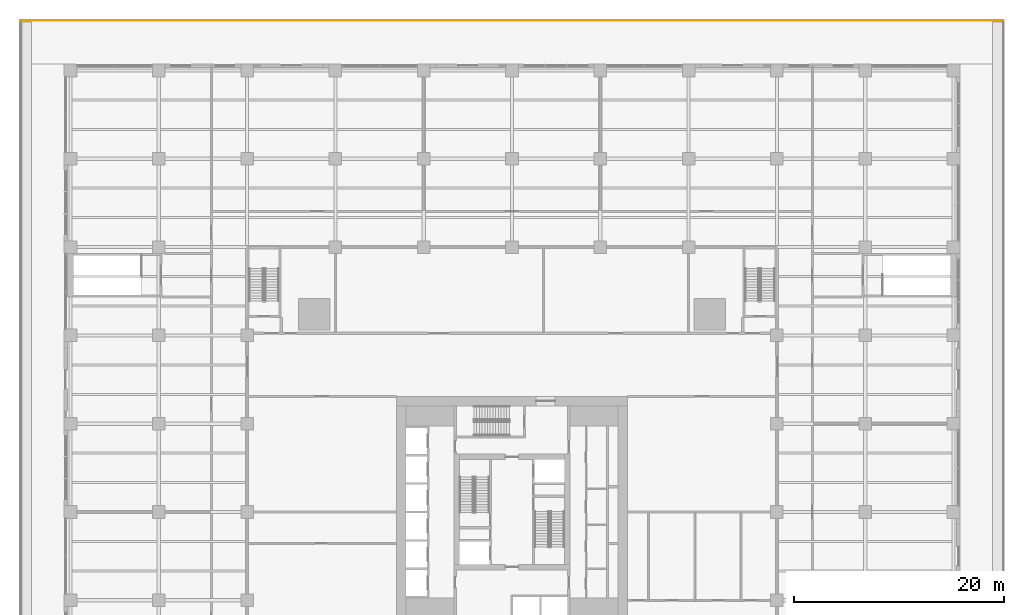
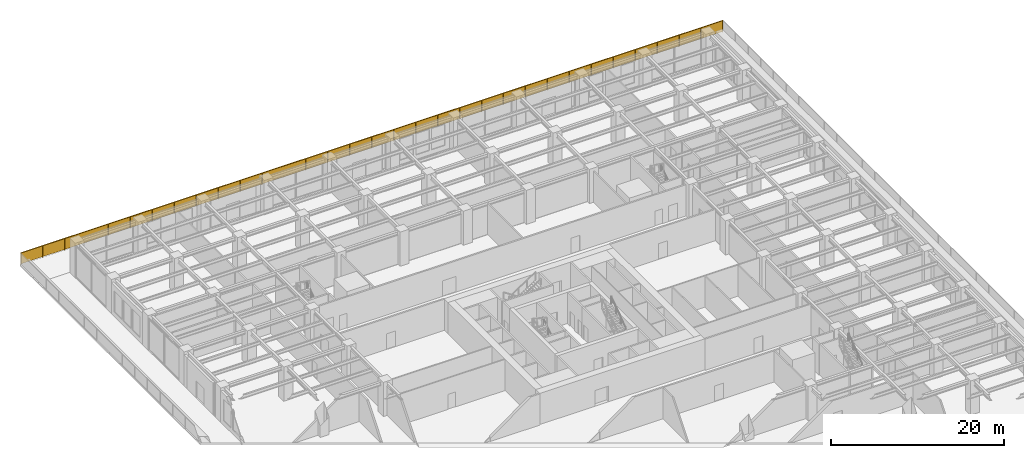
# One storey, part 52 of 53: 1 railing.
"""IFC4 building model written with IfcOpenShell, lengths in metres."""

from ifc_helpers import new_model, si_unit, direction, frame, origin, origin_2d, place, context, subcontext, project, spatial, rectangle, extrude, material, type_object, element, save


model = new_model("IFC4")

# Units and contexts
model_context = context("Model", 3, precision=1e-05, world=origin(), true_north=direction((0.0, 1.0)))
body_context = subcontext(model_context, "Body", "Model", "MODEL_VIEW")
ifc_project = project(units=[si_unit("LENGTHUNIT", "METRE"), si_unit("AREAUNIT", "SQUARE_METRE"), si_unit("VOLUMEUNIT", "CUBIC_METRE"), si_unit("PLANEANGLEUNIT", "RADIAN"), si_unit("MASSUNIT", "GRAM", prefix="KILO")], contexts=[model_context])

# Site, building, storey
site_placement = place(None, origin())
site = spatial("IfcSite", under=ifc_project, at=site_placement, CompositionType="ELEMENT")
building_placement = place(site_placement, origin())
building = spatial("IfcBuilding", under=site, at=building_placement, Name="Khepri Terraces", CompositionType="ELEMENT")
storey_placement = place(building_placement, frame((0.0, 0.0, 7.199951171875)))
storey = spatial("IfcBuildingStorey", under=building, at=storey_placement, Name="L01", CompositionType="ELEMENT", Elevation=7.199951171875)

# Railing
ifc_material = material(Name="Stainless steel grade 316", Category="steel")
railing_type = type_object("IfcRailingType", Name="GRD-TERR-1700", PredefinedType="GUARDRAIL", material=ifc_material)
railing_placement = place(storey_placement, frame((-46.75, 46.75, 0.0)))
element("IfcRailing", 1, at=railing_placement, inside=storey, type_object=railing_type, Name="Terrace guard L01", PredefinedType="GUARDRAIL", context=body_context, shape_type="SweptSolid", body=[
    extrude(rectangle(XDim=0.050048828125, YDim=0.06005859375, at=origin_2d()), frame((0.0, 0.0, 1.669921875), z_axis=(1.0, 0.0, 0.0), x_axis=(0.0, 1.0, 0.0)), (0.0, 0.0, 1.0), 93.5),
    extrude(rectangle(XDim=2.871826171875, YDim=0.011962890625, at=origin_2d()), frame((1.4609375, 0.0, 0.10009765625), z_axis=(0.0, 0.0, 1.0), x_axis=(1.0, 0.0, 0.0)), (0.0, 0.0, 1.0), 1.539794921875),
    extrude(rectangle(XDim=2.871826171875, YDim=0.011962890625, at=origin_2d()), frame((4.3828125, 0.0, 0.10009765625), z_axis=(0.0, 0.0, 1.0), x_axis=(1.0, 0.0, 0.0)), (0.0, 0.0, 1.0), 1.539794921875),
    extrude(rectangle(XDim=2.871826171875, YDim=0.011962890625, at=origin_2d()), frame((7.3046875, 0.0, 0.10009765625), z_axis=(0.0, 0.0, 1.0), x_axis=(1.0, 0.0, 0.0)), (0.0, 0.0, 1.0), 1.539794921875),
    extrude(rectangle(XDim=2.871826171875, YDim=0.011962890625, at=origin_2d()), frame((10.2265625, 0.0, 0.10009765625), z_axis=(0.0, 0.0, 1.0), x_axis=(1.0, 0.0, 0.0)), (0.0, 0.0, 1.0), 1.539794921875),
    extrude(rectangle(XDim=2.871826171875, YDim=0.011962890625, at=origin_2d()), frame((13.1484375, 0.0, 0.10009765625), z_axis=(0.0, 0.0, 1.0), x_axis=(1.0, 0.0, 0.0)), (0.0, 0.0, 1.0), 1.539794921875),
    extrude(rectangle(XDim=2.871826171875, YDim=0.011962890625, at=origin_2d()), frame((16.0703125, 0.0, 0.10009765625), z_axis=(0.0, 0.0, 1.0), x_axis=(1.0, 0.0, 0.0)), (0.0, 0.0, 1.0), 1.539794921875),
    extrude(rectangle(XDim=2.871826171875, YDim=0.011962890625, at=origin_2d()), frame((18.9921875, 0.0, 0.10009765625), z_axis=(0.0, 0.0, 1.0), x_axis=(1.0, 0.0, 0.0)), (0.0, 0.0, 1.0), 1.539794921875),
    extrude(rectangle(XDim=2.871826171875, YDim=0.011962890625, at=origin_2d()), frame((21.9140625, 0.0, 0.10009765625), z_axis=(0.0, 0.0, 1.0), x_axis=(1.0, 0.0, 0.0)), (0.0, 0.0, 1.0), 1.539794921875),
    extrude(rectangle(XDim=2.871826171875, YDim=0.011962890625, at=origin_2d()), frame((24.8359375, 0.0, 0.10009765625), z_axis=(0.0, 0.0, 1.0), x_axis=(1.0, 0.0, 0.0)), (0.0, 0.0, 1.0), 1.539794921875),
    extrude(rectangle(XDim=2.871826171875, YDim=0.011962890625, at=origin_2d()), frame((27.7578125, 0.0, 0.10009765625), z_axis=(0.0, 0.0, 1.0), x_axis=(1.0, 0.0, 0.0)), (0.0, 0.0, 1.0), 1.539794921875),
    extrude(rectangle(XDim=2.871826171875, YDim=0.011962890625, at=origin_2d()), frame((30.6796875, 0.0, 0.10009765625), z_axis=(0.0, 0.0, 1.0), x_axis=(1.0, 0.0, 0.0)), (0.0, 0.0, 1.0), 1.539794921875),
    extrude(rectangle(XDim=2.871826171875, YDim=0.011962890625, at=origin_2d()), frame((33.6015625, 0.0, 0.10009765625), z_axis=(0.0, 0.0, 1.0), x_axis=(1.0, 0.0, 0.0)), (0.0, 0.0, 1.0), 1.539794921875),
    extrude(rectangle(XDim=2.871826171875, YDim=0.011962890625, at=origin_2d()), frame((36.5234375, 0.0, 0.10009765625), z_axis=(0.0, 0.0, 1.0), x_axis=(1.0, 0.0, 0.0)), (0.0, 0.0, 1.0), 1.539794921875),
    extrude(rectangle(XDim=2.871826171875, YDim=0.011962890625, at=origin_2d()), frame((39.4453125, 0.0, 0.10009765625), z_axis=(0.0, 0.0, 1.0), x_axis=(1.0, 0.0, 0.0)), (0.0, 0.0, 1.0), 1.539794921875),
    extrude(rectangle(XDim=2.871826171875, YDim=0.011962890625, at=origin_2d()), frame((42.3671875, 0.0, 0.10009765625), z_axis=(0.0, 0.0, 1.0), x_axis=(1.0, 0.0, 0.0)), (0.0, 0.0, 1.0), 1.539794921875),
    extrude(rectangle(XDim=2.871826171875, YDim=0.011962890625, at=origin_2d()), frame((45.2890625, 0.0, 0.10009765625), z_axis=(0.0, 0.0, 1.0), x_axis=(1.0, 0.0, 0.0)), (0.0, 0.0, 1.0), 1.539794921875),
    extrude(rectangle(XDim=2.871826171875, YDim=0.011962890625, at=origin_2d()), frame((48.2109375, 0.0, 0.10009765625), z_axis=(0.0, 0.0, 1.0), x_axis=(1.0, 0.0, 0.0)), (0.0, 0.0, 1.0), 1.539794921875),
    extrude(rectangle(XDim=2.871826171875, YDim=0.011962890625, at=origin_2d()), frame((51.1328125, 0.0, 0.10009765625), z_axis=(0.0, 0.0, 1.0), x_axis=(1.0, 0.0, 0.0)), (0.0, 0.0, 1.0), 1.539794921875),
    extrude(rectangle(XDim=2.871826171875, YDim=0.011962890625, at=origin_2d()), frame((54.0546875, 0.0, 0.10009765625), z_axis=(0.0, 0.0, 1.0), x_axis=(1.0, 0.0, 0.0)), (0.0, 0.0, 1.0), 1.539794921875),
    extrude(rectangle(XDim=2.871826171875, YDim=0.011962890625, at=origin_2d()), frame((56.9765625, 0.0, 0.10009765625), z_axis=(0.0, 0.0, 1.0), x_axis=(1.0, 0.0, 0.0)), (0.0, 0.0, 1.0), 1.539794921875),
    extrude(rectangle(XDim=2.871826171875, YDim=0.011962890625, at=origin_2d()), frame((59.8984375, 0.0, 0.10009765625), z_axis=(0.0, 0.0, 1.0), x_axis=(1.0, 0.0, 0.0)), (0.0, 0.0, 1.0), 1.539794921875),
    extrude(rectangle(XDim=2.871826171875, YDim=0.011962890625, at=origin_2d()), frame((62.8203125, 0.0, 0.10009765625), z_axis=(0.0, 0.0, 1.0), x_axis=(1.0, 0.0, 0.0)), (0.0, 0.0, 1.0), 1.539794921875),
    extrude(rectangle(XDim=2.871826171875, YDim=0.011962890625, at=origin_2d()), frame((65.7421875, 0.0, 0.10009765625), z_axis=(0.0, 0.0, 1.0), x_axis=(1.0, 0.0, 0.0)), (0.0, 0.0, 1.0), 1.539794921875),
    extrude(rectangle(XDim=2.871826171875, YDim=0.011962890625, at=origin_2d()), frame((68.6640625, 0.0, 0.10009765625), z_axis=(0.0, 0.0, 1.0), x_axis=(1.0, 0.0, 0.0)), (0.0, 0.0, 1.0), 1.539794921875),
    extrude(rectangle(XDim=2.871826171875, YDim=0.011962890625, at=origin_2d()), frame((71.5859375, 0.0, 0.10009765625), z_axis=(0.0, 0.0, 1.0), x_axis=(1.0, 0.0, 0.0)), (0.0, 0.0, 1.0), 1.539794921875),
    extrude(rectangle(XDim=2.871826171875, YDim=0.011962890625, at=origin_2d()), frame((74.5078125, 0.0, 0.10009765625), z_axis=(0.0, 0.0, 1.0), x_axis=(1.0, 0.0, 0.0)), (0.0, 0.0, 1.0), 1.539794921875),
    extrude(rectangle(XDim=2.871826171875, YDim=0.011962890625, at=origin_2d()), frame((77.4296875, 0.0, 0.10009765625), z_axis=(0.0, 0.0, 1.0), x_axis=(1.0, 0.0, 0.0)), (0.0, 0.0, 1.0), 1.539794921875),
    extrude(rectangle(XDim=2.871826171875, YDim=0.011962890625, at=origin_2d()), frame((80.3515625, 0.0, 0.10009765625), z_axis=(0.0, 0.0, 1.0), x_axis=(1.0, 0.0, 0.0)), (0.0, 0.0, 1.0), 1.539794921875),
    extrude(rectangle(XDim=2.871826171875, YDim=0.011962890625, at=origin_2d()), frame((83.2734375, 0.0, 0.10009765625), z_axis=(0.0, 0.0, 1.0), x_axis=(1.0, 0.0, 0.0)), (0.0, 0.0, 1.0), 1.539794921875),
    extrude(rectangle(XDim=2.871826171875, YDim=0.011962890625, at=origin_2d()), frame((86.1953125, 0.0, 0.10009765625), z_axis=(0.0, 0.0, 1.0), x_axis=(1.0, 0.0, 0.0)), (0.0, 0.0, 1.0), 1.539794921875),
    extrude(rectangle(XDim=2.871826171875, YDim=0.011962890625, at=origin_2d()), frame((89.1171875, 0.0, 0.10009765625), z_axis=(0.0, 0.0, 1.0), x_axis=(1.0, 0.0, 0.0)), (0.0, 0.0, 1.0), 1.539794921875),
    extrude(rectangle(XDim=2.871826171875, YDim=0.011962890625, at=origin_2d()), frame((92.0390625, 0.0, 0.10009765625), z_axis=(0.0, 0.0, 1.0), x_axis=(1.0, 0.0, 0.0)), (0.0, 0.0, 1.0), 1.539794921875),
    extrude(rectangle(XDim=0.050048828125, YDim=0.050048828125, at=origin_2d()), origin(), (0.0, 0.0, 1.0), 1.639892578125),
    extrude(rectangle(XDim=0.050048828125, YDim=0.050048828125, at=origin_2d()), frame((2.921875, 0.0, 0.0)), (0.0, 0.0, 1.0), 1.639892578125),
    extrude(rectangle(XDim=0.050048828125, YDim=0.050048828125, at=origin_2d()), frame((5.84375, 0.0, 0.0)), (0.0, 0.0, 1.0), 1.639892578125),
    extrude(rectangle(XDim=0.050048828125, YDim=0.050048828125, at=origin_2d()), frame((8.765625, 0.0, 0.0)), (0.0, 0.0, 1.0), 1.639892578125),
    extrude(rectangle(XDim=0.050048828125, YDim=0.050048828125, at=origin_2d()), frame((11.6875, 0.0, 0.0)), (0.0, 0.0, 1.0), 1.639892578125),
    extrude(rectangle(XDim=0.050048828125, YDim=0.050048828125, at=origin_2d()), frame((14.609375, 0.0, 0.0)), (0.0, 0.0, 1.0), 1.639892578125),
    extrude(rectangle(XDim=0.050048828125, YDim=0.050048828125, at=origin_2d()), frame((17.53125, 0.0, 0.0)), (0.0, 0.0, 1.0), 1.639892578125),
    extrude(rectangle(XDim=0.050048828125, YDim=0.050048828125, at=origin_2d()), frame((20.453125, 0.0, 0.0)), (0.0, 0.0, 1.0), 1.639892578125),
    extrude(rectangle(XDim=0.050048828125, YDim=0.050048828125, at=origin_2d()), frame((23.375, 0.0, 0.0)), (0.0, 0.0, 1.0), 1.639892578125),
    extrude(rectangle(XDim=0.050048828125, YDim=0.050048828125, at=origin_2d()), frame((26.296875, 0.0, 0.0)), (0.0, 0.0, 1.0), 1.639892578125),
    extrude(rectangle(XDim=0.050048828125, YDim=0.050048828125, at=origin_2d()), frame((29.21875, 0.0, 0.0)), (0.0, 0.0, 1.0), 1.639892578125),
    extrude(rectangle(XDim=0.050048828125, YDim=0.050048828125, at=origin_2d()), frame((32.140625, 0.0, 0.0)), (0.0, 0.0, 1.0), 1.639892578125),
    extrude(rectangle(XDim=0.050048828125, YDim=0.050048828125, at=origin_2d()), frame((35.0625, 0.0, 0.0)), (0.0, 0.0, 1.0), 1.639892578125),
    extrude(rectangle(XDim=0.050048828125, YDim=0.050048828125, at=origin_2d()), frame((37.984375, 0.0, 0.0)), (0.0, 0.0, 1.0), 1.639892578125),
    extrude(rectangle(XDim=0.050048828125, YDim=0.050048828125, at=origin_2d()), frame((40.90625, 0.0, 0.0)), (0.0, 0.0, 1.0), 1.639892578125),
    extrude(rectangle(XDim=0.050048828125, YDim=0.050048828125, at=origin_2d()), frame((43.828125, 0.0, 0.0)), (0.0, 0.0, 1.0), 1.639892578125),
    extrude(rectangle(XDim=0.050048828125, YDim=0.050048828125, at=origin_2d()), frame((46.75, 0.0, 0.0)), (0.0, 0.0, 1.0), 1.639892578125),
    extrude(rectangle(XDim=0.050048828125, YDim=0.050048828125, at=origin_2d()), frame((49.671875, 0.0, 0.0)), (0.0, 0.0, 1.0), 1.639892578125),
    extrude(rectangle(XDim=0.050048828125, YDim=0.050048828125, at=origin_2d()), frame((52.59375, 0.0, 0.0)), (0.0, 0.0, 1.0), 1.639892578125),
    extrude(rectangle(XDim=0.050048828125, YDim=0.050048828125, at=origin_2d()), frame((55.515625, 0.0, 0.0)), (0.0, 0.0, 1.0), 1.639892578125),
    extrude(rectangle(XDim=0.050048828125, YDim=0.050048828125, at=origin_2d()), frame((58.4375, 0.0, 0.0)), (0.0, 0.0, 1.0), 1.639892578125),
    extrude(rectangle(XDim=0.050048828125, YDim=0.050048828125, at=origin_2d()), frame((61.359375, 0.0, 0.0)), (0.0, 0.0, 1.0), 1.639892578125),
    extrude(rectangle(XDim=0.050048828125, YDim=0.050048828125, at=origin_2d()), frame((64.28125, 0.0, 0.0)), (0.0, 0.0, 1.0), 1.639892578125),
    extrude(rectangle(XDim=0.050048828125, YDim=0.050048828125, at=origin_2d()), frame((67.203125, 0.0, 0.0)), (0.0, 0.0, 1.0), 1.639892578125),
    extrude(rectangle(XDim=0.050048828125, YDim=0.050048828125, at=origin_2d()), frame((70.125, 0.0, 0.0)), (0.0, 0.0, 1.0), 1.639892578125),
    extrude(rectangle(XDim=0.050048828125, YDim=0.050048828125, at=origin_2d()), frame((73.046875, 0.0, 0.0)), (0.0, 0.0, 1.0), 1.639892578125),
    extrude(rectangle(XDim=0.050048828125, YDim=0.050048828125, at=origin_2d()), frame((75.96875, 0.0, 0.0)), (0.0, 0.0, 1.0), 1.639892578125),
    extrude(rectangle(XDim=0.050048828125, YDim=0.050048828125, at=origin_2d()), frame((78.890625, 0.0, 0.0)), (0.0, 0.0, 1.0), 1.639892578125),
    extrude(rectangle(XDim=0.050048828125, YDim=0.050048828125, at=origin_2d()), frame((81.8125, 0.0, 0.0)), (0.0, 0.0, 1.0), 1.639892578125),
    extrude(rectangle(XDim=0.050048828125, YDim=0.050048828125, at=origin_2d()), frame((84.734375, 0.0, 0.0)), (0.0, 0.0, 1.0), 1.639892578125),
    extrude(rectangle(XDim=0.050048828125, YDim=0.050048828125, at=origin_2d()), frame((87.65625, 0.0, 0.0)), (0.0, 0.0, 1.0), 1.639892578125),
    extrude(rectangle(XDim=0.050048828125, YDim=0.050048828125, at=origin_2d()), frame((90.578125, 0.0, 0.0)), (0.0, 0.0, 1.0), 1.639892578125),
    extrude(rectangle(XDim=0.050048828125, YDim=0.050048828125, at=origin_2d()), frame((93.5, 0.0, 0.0)), (0.0, 0.0, 1.0), 1.639892578125),
])

save(model, "model.ifc")
